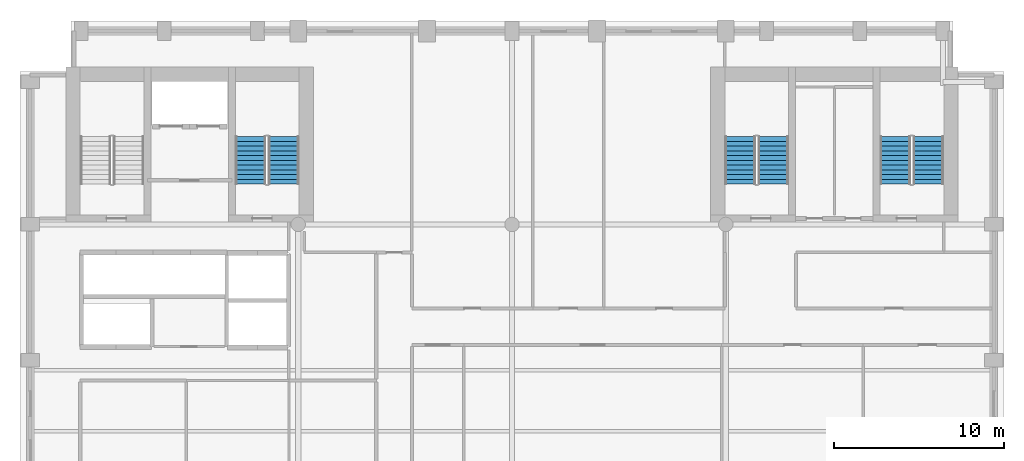
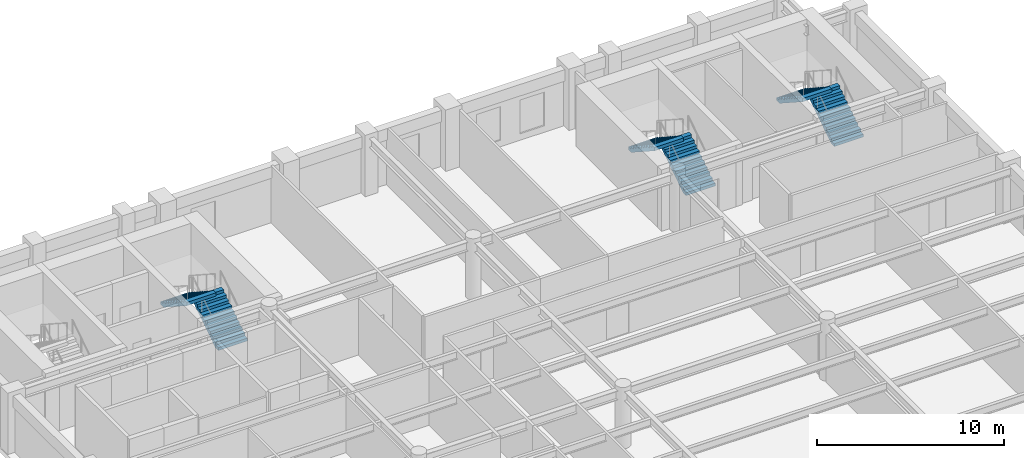
# One storey, part 6 of 8: 6 stair flights, 3 elements without a shape of their own.
"""IFC4 building model written with IfcOpenShell, lengths in metres."""

from ifc_helpers import new_model, si_unit, direction, frame, origin, place, context, subcontext, project, spatial, polyline, outline, extrude, material, type_object, element, aggregate, save


model = new_model("IFC4")

# Units and contexts
model_context = context("Model", 3, precision=1e-05, world=origin(), true_north=direction((0.0, 1.0)))
body_context = subcontext(model_context, "Body", "Model", "MODEL_VIEW")
ifc_project = project(units=[si_unit("LENGTHUNIT", "METRE"), si_unit("AREAUNIT", "SQUARE_METRE"), si_unit("VOLUMEUNIT", "CUBIC_METRE"), si_unit("PLANEANGLEUNIT", "RADIAN"), si_unit("MASSUNIT", "GRAM", prefix="KILO")], contexts=[model_context])

# Site, building, storey
site_placement = place(None, origin())
site = spatial("IfcSite", under=ifc_project, at=site_placement, CompositionType="ELEMENT")
building_placement = place(site_placement, origin())
building = spatial("IfcBuilding", under=site, at=building_placement, Name="Sulina Concourse Tower", CompositionType="ELEMENT")
storey_placement = place(building_placement, frame((0.0, 0.0, 170.60009765625)))
storey = spatial("IfcBuildingStorey", under=building, at=storey_placement, Name="L41", CompositionType="ELEMENT", Elevation=170.60009765625)

# Stair, stair flights
ifc_material_1 = material(Name="Concrete C50/60", Category="concrete")
stair_type_1 = type_object("IfcStairType", Name="Portal & Podium Core Exit Stair 1820mm", PredefinedType="HALF_TURN_STAIR", material=ifc_material_1)
stair_1_placement = place(storey_placement, origin())
stair_1 = element("IfcStair", 1, at=stair_1_placement, inside=storey, type_object=stair_type_1, Name="L41 ST-3", PredefinedType="HALF_TURN_STAIR")
ifc_material_2 = material(Name="Concrete C50/60", Category="concrete")
stair_flight_type_1 = type_object("IfcStairFlightType", Name="Portal & Podium Core Exit Stair 1820mm Flight", PredefinedType="STRAIGHT", material=ifc_material_2)
stair_flight_1_placement = place(storey_placement, frame((44.405029296875, 36.375, 0.0), z_axis=(0.0, 0.0, 1.0), x_axis=(0.0, 1.0, 0.0)))
stair_flight_1 = element("IfcStairFlight", 2, at=stair_flight_1_placement, type_object=stair_flight_type_1, Name="ST-3 flight 1", NumberOfRisers=11, NumberOfTreads=10, PredefinedType="STRAIGHT", RiserHeight=0.181818182, TreadLength=0.28, context=body_context, shape_type="SweptSolid", body=[
    extrude(outline(polyline([(0.0, 0.0), (0.0, 0.181884765625), (0.280029296875, 0.181884765625), (0.280029296875, 0.363525390625), (0.56005859375, 0.363525390625), (0.56005859375, 0.54541015625), (0.840087890625, 0.54541015625), (0.840087890625, 0.727294921875), (1.1201171875, 0.727294921875), (1.1201171875, 0.9091796875), (1.39990234375, 0.9091796875), (1.39990234375, 1.0908203125), (1.679931640625, 1.0908203125), (1.679931640625, 1.272705078125), (1.9599609375, 1.272705078125), (1.9599609375, 1.45458984375), (2.239990234375, 1.45458984375), (2.239990234375, 1.636474609375), (2.52001953125, 1.636474609375), (2.52001953125, 1.818115234375), (2.800048828125, 1.818115234375), (2.800048828125, 2.0), (2.800048828125, 1.603759765625), (0.330322265625, 0.0), (0.0, 0.0)])), frame((0.0, 0.89990234375, 0.0), z_axis=(0.0, -1.0, 0.0), x_axis=(1.0, 0.0, 0.0)), (0.0, 0.0, 1.0), 1.800048828125),
])
stair_flight_2_placement = place(storey_placement, frame((42.455078125, 39.175048828125, 2.0), z_axis=(0.0, 0.0, 1.0), x_axis=(0.0, -1.0, 0.0)))
stair_flight_2 = element("IfcStairFlight", 3, at=stair_flight_2_placement, type_object=stair_flight_type_1, Name="ST-3 flight 2", NumberOfRisers=11, NumberOfTreads=10, PredefinedType="STRAIGHT", RiserHeight=0.181818182, TreadLength=0.28, context=body_context, shape_type="SweptSolid", body=[
    extrude(outline(polyline([(0.0, 0.0), (0.0, 0.181884765625), (0.280029296875, 0.181884765625), (0.280029296875, 0.363525390625), (0.56005859375, 0.363525390625), (0.56005859375, 0.54541015625), (0.840087890625, 0.54541015625), (0.840087890625, 0.727294921875), (1.1201171875, 0.727294921875), (1.1201171875, 0.9091796875), (1.39990234375, 0.9091796875), (1.39990234375, 1.0908203125), (1.679931640625, 1.0908203125), (1.679931640625, 1.272705078125), (1.9599609375, 1.272705078125), (1.9599609375, 1.45458984375), (2.239990234375, 1.45458984375), (2.239990234375, 1.636474609375), (2.52001953125, 1.636474609375), (2.52001953125, 1.818115234375), (2.800048828125, 1.818115234375), (2.800048828125, 2.0), (2.800048828125, 1.603759765625), (0.330322265625, 0.0), (0.0, 0.0)])), frame((0.0, 0.89990234375, 0.0), z_axis=(0.0, -1.0, 0.0), x_axis=(1.0, 0.0, 0.0)), (0.0, 0.0, 1.0), 1.800048828125),
])
aggregate(stair_1, [stair_flight_1, stair_flight_2])

stair_2_placement = place(storey_placement, origin())
stair_2 = element("IfcStair", 4, at=stair_2_placement, inside=storey, type_object=stair_type_1, Name="L41 ST-4", PredefinedType="HALF_TURN_STAIR")
stair_flight_3_placement = place(storey_placement, frame((53.544921875, 36.375, 0.0), z_axis=(0.0, 0.0, 1.0), x_axis=(0.0, 1.0, 0.0)))
stair_flight_3 = element("IfcStairFlight", 5, at=stair_flight_3_placement, type_object=stair_flight_type_1, Name="ST-4 flight 1", NumberOfRisers=11, NumberOfTreads=10, PredefinedType="STRAIGHT", RiserHeight=0.181818182, TreadLength=0.28, context=body_context, shape_type="SweptSolid", body=[
    extrude(outline(polyline([(0.0, 0.0), (0.0, 0.181884765625), (0.280029296875, 0.181884765625), (0.280029296875, 0.363525390625), (0.56005859375, 0.363525390625), (0.56005859375, 0.54541015625), (0.840087890625, 0.54541015625), (0.840087890625, 0.727294921875), (1.1201171875, 0.727294921875), (1.1201171875, 0.9091796875), (1.39990234375, 0.9091796875), (1.39990234375, 1.0908203125), (1.679931640625, 1.0908203125), (1.679931640625, 1.272705078125), (1.9599609375, 1.272705078125), (1.9599609375, 1.45458984375), (2.239990234375, 1.45458984375), (2.239990234375, 1.636474609375), (2.52001953125, 1.636474609375), (2.52001953125, 1.818115234375), (2.800048828125, 1.818115234375), (2.800048828125, 2.0), (2.800048828125, 1.603759765625), (0.330322265625, 0.0), (0.0, 0.0)])), frame((0.0, 0.89990234375, 0.0), z_axis=(0.0, -1.0, 0.0), x_axis=(1.0, 0.0, 0.0)), (0.0, 0.0, 1.0), 1.800048828125),
])
stair_flight_4_placement = place(storey_placement, frame((51.594970703125, 39.175048828125, 2.0), z_axis=(0.0, 0.0, 1.0), x_axis=(0.0, -1.0, 0.0)))
stair_flight_4 = element("IfcStairFlight", 6, at=stair_flight_4_placement, type_object=stair_flight_type_1, Name="ST-4 flight 2", NumberOfRisers=11, NumberOfTreads=10, PredefinedType="STRAIGHT", RiserHeight=0.181818182, TreadLength=0.28, context=body_context, shape_type="SweptSolid", body=[
    extrude(outline(polyline([(0.0, 0.0), (0.0, 0.181884765625), (0.280029296875, 0.181884765625), (0.280029296875, 0.363525390625), (0.56005859375, 0.363525390625), (0.56005859375, 0.54541015625), (0.840087890625, 0.54541015625), (0.840087890625, 0.727294921875), (1.1201171875, 0.727294921875), (1.1201171875, 0.9091796875), (1.39990234375, 0.9091796875), (1.39990234375, 1.0908203125), (1.679931640625, 1.0908203125), (1.679931640625, 1.272705078125), (1.9599609375, 1.272705078125), (1.9599609375, 1.45458984375), (2.239990234375, 1.45458984375), (2.239990234375, 1.636474609375), (2.52001953125, 1.636474609375), (2.52001953125, 1.818115234375), (2.800048828125, 1.818115234375), (2.800048828125, 2.0), (2.800048828125, 1.603759765625), (0.330322265625, 0.0), (0.0, 0.0)])), frame((0.0, 0.89990234375, 0.0), z_axis=(0.0, -1.0, 0.0), x_axis=(1.0, 0.0, 0.0)), (0.0, 0.0, 1.0), 1.800048828125),
])
aggregate(stair_2, [stair_flight_3, stair_flight_4])

ifc_material_3 = material(Name="Concrete C50/60", Category="concrete")
stair_type_2 = type_object("IfcStairType", Name="Primary Core Dog-Leg Exit Stair 1800mm", PredefinedType="HALF_TURN_STAIR", material=ifc_material_3)
stair_3_placement = place(storey_placement, origin())
stair_3 = element("IfcStair", 7, at=stair_3_placement, inside=storey, type_object=stair_type_2, Name="L41 ST-2", PredefinedType="HALF_TURN_STAIR")
ifc_material_4 = material(Name="Concrete C50/60", Category="concrete")
stair_flight_type_2 = type_object("IfcStairFlightType", Name="Primary Core Dog-Leg Exit Stair 1800mm Flight", PredefinedType="STRAIGHT", material=ifc_material_4)
stair_flight_5_placement = place(storey_placement, frame((15.544921875, 36.375, 0.0), z_axis=(0.0, 0.0, 1.0), x_axis=(0.0, 1.0, 0.0)))
stair_flight_5 = element("IfcStairFlight", 8, at=stair_flight_5_placement, type_object=stair_flight_type_2, Name="ST-2 flight 1", NumberOfRisers=11, NumberOfTreads=10, PredefinedType="STRAIGHT", RiserHeight=0.181818182, TreadLength=0.28, context=body_context, shape_type="SweptSolid", body=[
    extrude(outline(polyline([(0.0, 0.0), (0.0, 0.181884765625), (0.280029296875, 0.181884765625), (0.280029296875, 0.363525390625), (0.56005859375, 0.363525390625), (0.56005859375, 0.54541015625), (0.840087890625, 0.54541015625), (0.840087890625, 0.727294921875), (1.1201171875, 0.727294921875), (1.1201171875, 0.9091796875), (1.39990234375, 0.9091796875), (1.39990234375, 1.0908203125), (1.679931640625, 1.0908203125), (1.679931640625, 1.272705078125), (1.9599609375, 1.272705078125), (1.9599609375, 1.45458984375), (2.239990234375, 1.45458984375), (2.239990234375, 1.636474609375), (2.52001953125, 1.636474609375), (2.52001953125, 1.818115234375), (2.800048828125, 1.818115234375), (2.800048828125, 2.0), (2.800048828125, 1.603759765625), (0.330322265625, 0.0), (0.0, 0.0)])), frame((0.0, 0.89990234375, 0.0), z_axis=(0.0, -1.0, 0.0), x_axis=(1.0, 0.0, 0.0)), (0.0, 0.0, 1.0), 1.800048828125),
])
stair_flight_6_placement = place(storey_placement, frame((13.594970703125, 39.175048828125, 2.0), z_axis=(0.0, 0.0, 1.0), x_axis=(0.0, -1.0, 0.0)))
stair_flight_6 = element("IfcStairFlight", 9, at=stair_flight_6_placement, type_object=stair_flight_type_2, Name="ST-2 flight 2", NumberOfRisers=11, NumberOfTreads=10, PredefinedType="STRAIGHT", RiserHeight=0.181818182, TreadLength=0.28, context=body_context, shape_type="SweptSolid", body=[
    extrude(outline(polyline([(0.0, 0.0), (0.0, 0.181884765625), (0.280029296875, 0.181884765625), (0.280029296875, 0.363525390625), (0.56005859375, 0.363525390625), (0.56005859375, 0.54541015625), (0.840087890625, 0.54541015625), (0.840087890625, 0.727294921875), (1.1201171875, 0.727294921875), (1.1201171875, 0.9091796875), (1.39990234375, 0.9091796875), (1.39990234375, 1.0908203125), (1.679931640625, 1.0908203125), (1.679931640625, 1.272705078125), (1.9599609375, 1.272705078125), (1.9599609375, 1.45458984375), (2.239990234375, 1.45458984375), (2.239990234375, 1.636474609375), (2.52001953125, 1.636474609375), (2.52001953125, 1.818115234375), (2.800048828125, 1.818115234375), (2.800048828125, 2.0), (2.800048828125, 1.603759765625), (0.330322265625, 0.0), (0.0, 0.0)])), frame((0.0, 0.89990234375, 0.0), z_axis=(0.0, -1.0, 0.0), x_axis=(1.0, 0.0, 0.0)), (0.0, 0.0, 1.0), 1.800048828125),
])
aggregate(stair_3, [stair_flight_5, stair_flight_6])

save(model, "model.ifc")
